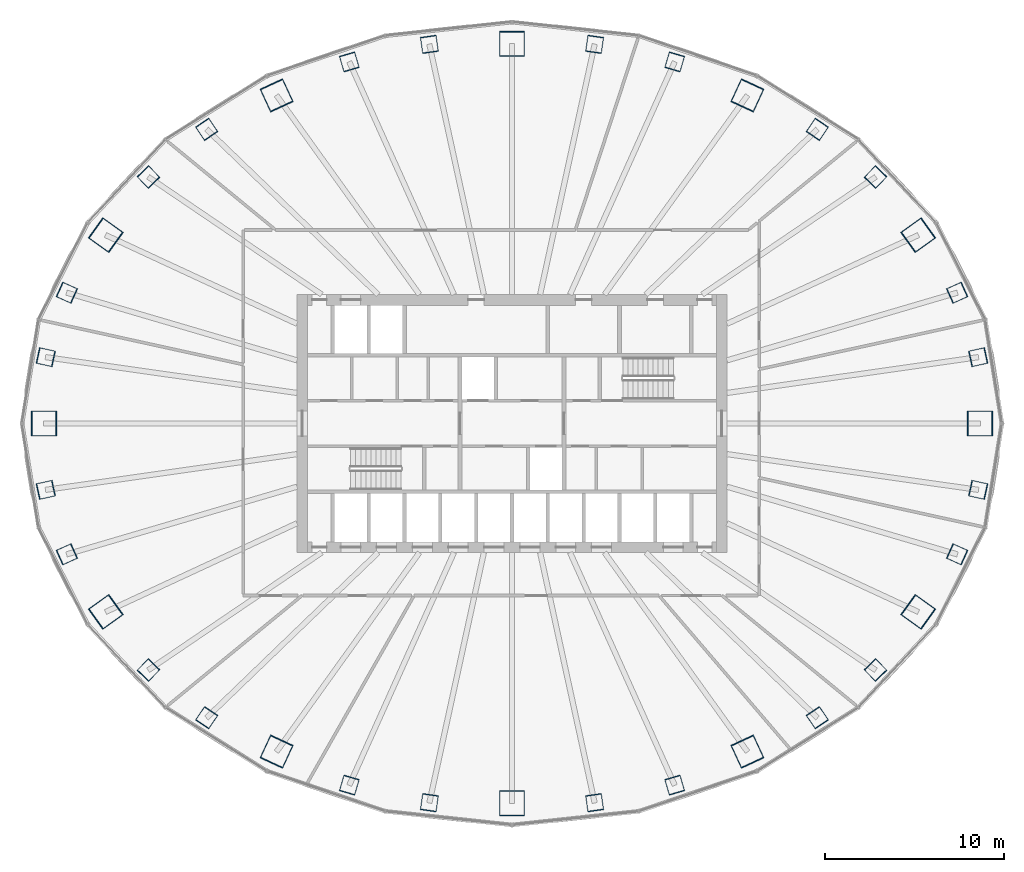
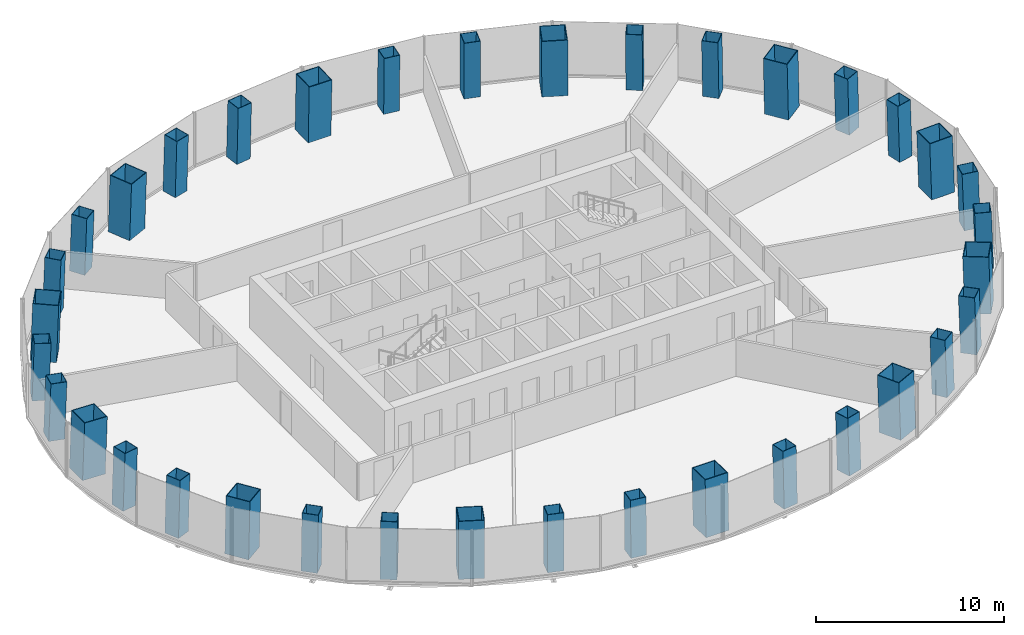
# One storey, part 1 of 11: 36 columns.
"""IFC4 building model written with IfcOpenShell, lengths in metres."""

from ifc_helpers import new_model, si_unit, direction, frame, origin, origin_2d, place, context, subcontext, project, spatial, hollow_rectangle, extrude, material, material_profile, profile_set, type_object, element, save


model = new_model("IFC4")

# Units and contexts
model_context = context("Model", 3, precision=1e-05, world=origin(), true_north=direction((0.0, 1.0)))
body_context = subcontext(model_context, "Body", "Model", "MODEL_VIEW")
ifc_project = project(units=[si_unit("LENGTHUNIT", "METRE"), si_unit("AREAUNIT", "SQUARE_METRE"), si_unit("VOLUMEUNIT", "CUBIC_METRE"), si_unit("PLANEANGLEUNIT", "RADIAN"), si_unit("MASSUNIT", "GRAM", prefix="KILO")], contexts=[model_context])

# Site, building, storey
site_placement = place(None, origin())
site = spatial("IfcSite", under=ifc_project, at=site_placement, CompositionType="ELEMENT")
building_placement = place(site_placement, origin())
building = spatial("IfcBuilding", under=site, at=building_placement, Name="Siaravel Broadcast Tower", CompositionType="ELEMENT")
storey_placement = place(building_placement, frame((0.0, 0.0, 66.699951171875)))
storey = spatial("IfcBuildingStorey", under=building, at=storey_placement, Name="L15", CompositionType="ELEMENT", Elevation=66.699951171875)

# Columns
ifc_material = material(Name="Concrete C70/85", Category="concrete")
ifc_material_profile_1 = material_profile(ifc_material, hollow_rectangle(XDim=1.39990234375, YDim=1.39990234375, WallThickness=0.0400390625, at=origin_2d()))
ifc_profile_set_1 = profile_set([ifc_material_profile_1], Name="Concrete C70/85")
column_type_1 = type_object("IfcColumnType", Name="COL-CFT BOX 1400x1400x40", PredefinedType="COLUMN", material=ifc_profile_set_1)
column_1_placement = place(storey_placement, frame((26.1337890625, 0.0, 0.0), z_axis=(-0.034621265, 0.0, 0.999400504), x_axis=(0.0, -1.0, 0.0)))
element("IfcColumn", 1, at=column_1_placement, inside=storey, type_object=column_type_1, Name="Megacolumn MC01", PredefinedType="COLUMN", context=body_context, shape_type="SweptSolid", body=[
    extrude(hollow_rectangle(XDim=1.39990234375, YDim=1.39990234375, WallThickness=0.0400390625, at=origin_2d()), origin(), (0.0, 0.0, 1.0), 3.7021484375),
])
column_2_placement = place(storey_placement, frame((22.68603515625, 10.52001953125, 0.0), z_axis=(-0.029940667, -0.01417895, 0.999451106), x_axis=(0.582612428, -0.812728535, 0.005923418)))
element("IfcColumn", 2, at=column_2_placement, inside=storey, type_object=column_type_1, Name="Megacolumn MC02", PredefinedType="COLUMN", context=body_context, shape_type="SweptSolid", body=[
    extrude(hollow_rectangle(XDim=1.39990234375, YDim=1.39990234375, WallThickness=0.0400390625, at=origin_2d()), origin(), (0.0, 0.0, 1.0), 3.701904296875),
])
column_3_placement = place(storey_placement, frame((13.146484375, 18.324462890625, 0.0), z_axis=(-0.017280237, -0.024535299, 0.999549605), x_axis=(0.907657106, -0.419677884, 0.005390036)))
element("IfcColumn", 3, at=column_3_placement, inside=storey, type_object=column_type_1, Name="Megacolumn MC03", PredefinedType="COLUMN", context=body_context, shape_type="SweptSolid", body=[
    extrude(hollow_rectangle(XDim=1.39990234375, YDim=1.39990234375, WallThickness=0.0400390625, at=origin_2d()), origin(), (0.0, 0.0, 1.0), 3.70166015625),
])
column_4_placement = place(storey_placement, frame((0.0, 21.20751953125, 0.0), z_axis=(0.0, -0.02836206, 0.999597716), x_axis=(1.0, 0.0, 0.0)))
element("IfcColumn", 4, at=column_4_placement, inside=storey, type_object=column_type_1, Name="Megacolumn MC04", PredefinedType="COLUMN", context=body_context, shape_type="SweptSolid", body=[
    extrude(hollow_rectangle(XDim=1.39990234375, YDim=1.39990234375, WallThickness=0.0400390625, at=origin_2d()), origin(), (0.0, 0.0, 1.0), 3.701416015625),
])
column_5_placement = place(storey_placement, frame((-13.146484375, 18.324462890625, 0.0), z_axis=(0.017280237, -0.024535299, 0.999549605), x_axis=(0.907657106, 0.419677884, -0.005390036)))
element("IfcColumn", 5, at=column_5_placement, inside=storey, type_object=column_type_1, Name="Megacolumn MC05", PredefinedType="COLUMN", context=body_context, shape_type="SweptSolid", body=[
    extrude(hollow_rectangle(XDim=1.39990234375, YDim=1.39990234375, WallThickness=0.0400390625, at=origin_2d()), origin(), (0.0, 0.0, 1.0), 3.70166015625),
])
column_6_placement = place(storey_placement, frame((-22.68603515625, 10.52001953125, 0.0), z_axis=(0.029940667, -0.01417895, 0.999451106), x_axis=(0.582612428, 0.812728535, -0.005923418)))
element("IfcColumn", 6, at=column_6_placement, inside=storey, type_object=column_type_1, Name="Megacolumn MC06", PredefinedType="COLUMN", context=body_context, shape_type="SweptSolid", body=[
    extrude(hollow_rectangle(XDim=1.39990234375, YDim=1.39990234375, WallThickness=0.0400390625, at=origin_2d()), origin(), (0.0, 0.0, 1.0), 3.701904296875),
])
column_7_placement = place(storey_placement, frame((-26.1337890625, 0.0, 0.0), z_axis=(0.034621265, 0.0, 0.999400504), x_axis=(0.0, 1.0, 0.0)))
element("IfcColumn", 7, at=column_7_placement, inside=storey, type_object=column_type_1, Name="Megacolumn MC07", PredefinedType="COLUMN", context=body_context, shape_type="SweptSolid", body=[
    extrude(hollow_rectangle(XDim=1.39990234375, YDim=1.39990234375, WallThickness=0.0400390625, at=origin_2d()), origin(), (0.0, 0.0, 1.0), 3.7021484375),
])
column_8_placement = place(storey_placement, frame((-22.68603515625, -10.52001953125, 0.0), z_axis=(0.029940667, 0.01417895, 0.999451106), x_axis=(-0.582612428, 0.812728535, 0.005923418)))
element("IfcColumn", 8, at=column_8_placement, inside=storey, type_object=column_type_1, Name="Megacolumn MC08", PredefinedType="COLUMN", context=body_context, shape_type="SweptSolid", body=[
    extrude(hollow_rectangle(XDim=1.39990234375, YDim=1.39990234375, WallThickness=0.0400390625, at=origin_2d()), origin(), (0.0, 0.0, 1.0), 3.701904296875),
])
column_9_placement = place(storey_placement, frame((-13.146484375, -18.324462890625, 0.0), z_axis=(0.017280237, 0.024535299, 0.999549605), x_axis=(-0.907657106, 0.419677884, 0.005390036)))
element("IfcColumn", 9, at=column_9_placement, inside=storey, type_object=column_type_1, Name="Megacolumn MC09", PredefinedType="COLUMN", context=body_context, shape_type="SweptSolid", body=[
    extrude(hollow_rectangle(XDim=1.39990234375, YDim=1.39990234375, WallThickness=0.0400390625, at=origin_2d()), origin(), (0.0, 0.0, 1.0), 3.70166015625),
])
column_10_placement = place(storey_placement, frame((0.0, -21.20751953125, 0.0), z_axis=(0.0, 0.02836206, 0.999597716), x_axis=(-1.0, 0.0, 0.0)))
element("IfcColumn", 10, at=column_10_placement, inside=storey, type_object=column_type_1, Name="Megacolumn MC10", PredefinedType="COLUMN", context=body_context, shape_type="SweptSolid", body=[
    extrude(hollow_rectangle(XDim=1.39990234375, YDim=1.39990234375, WallThickness=0.0400390625, at=origin_2d()), origin(), (0.0, 0.0, 1.0), 3.701416015625),
])
column_11_placement = place(storey_placement, frame((13.146484375, -18.324462890625, 0.0), z_axis=(-0.017280237, 0.024535299, 0.999549605), x_axis=(-0.907657106, -0.419677884, -0.005390036)))
element("IfcColumn", 11, at=column_11_placement, inside=storey, type_object=column_type_1, Name="Megacolumn MC11", PredefinedType="COLUMN", context=body_context, shape_type="SweptSolid", body=[
    extrude(hollow_rectangle(XDim=1.39990234375, YDim=1.39990234375, WallThickness=0.0400390625, at=origin_2d()), origin(), (0.0, 0.0, 1.0), 3.70166015625),
])
column_12_placement = place(storey_placement, frame((22.68603515625, -10.52001953125, 0.0), z_axis=(-0.029940667, 0.01417895, 0.999451106), x_axis=(-0.582612428, -0.812728535, -0.005923418)))
element("IfcColumn", 12, at=column_12_placement, inside=storey, type_object=column_type_1, Name="Megacolumn MC12", PredefinedType="COLUMN", context=body_context, shape_type="SweptSolid", body=[
    extrude(hollow_rectangle(XDim=1.39990234375, YDim=1.39990234375, WallThickness=0.0400390625, at=origin_2d()), origin(), (0.0, 0.0, 1.0), 3.701904296875),
])
ifc_material_profile_2 = material_profile(ifc_material, hollow_rectangle(XDim=0.89990234375, YDim=0.89990234375, WallThickness=0.02490234375, at=origin_2d()))
ifc_profile_set_2 = profile_set([ifc_material_profile_2], Name="Concrete C70/85")
column_type_2 = type_object("IfcColumnType", Name="COL-CFT BOX 900x900x25", PredefinedType="COLUMN", material=ifc_profile_set_2)
for number, where, z_axis, x_axis, name in (
    (13, (26.037841796875, 3.705322265625, 0.0), (-0.034028034, -0.004945935, 0.99940864), (0.213312399, -0.976981026, 0.002427953), "Perimeter column C01"),
    (14, (24.8603515625, 7.3046875, 0.0), (-0.032511791, -0.009694185, 0.999424337), (0.409631104, -0.912240273, 0.004476992), "Perimeter column C02"),
):
    element("IfcColumn", number, at=place(storey_placement, frame(where, z_axis=z_axis, x_axis=x_axis)), inside=storey, type_object=column_type_2, Name=name, PredefinedType="COLUMN", context=body_context, shape_type="SweptSolid", body=[
        extrude(hollow_rectangle(XDim=0.89990234375, YDim=0.89990234375, WallThickness=0.02490234375, at=origin_2d()), origin(), (0.0, 0.0, 1.0), 3.7021484375),
    ])
column_13_placement = place(storey_placement, frame((20.303466796875, 13.7666015625, 0.0), z_axis=(-0.026512179, -0.018202391, 0.999482755), x_axis=(0.719547914, -0.694412935, 0.006440138)))
element("IfcColumn", 15, at=column_13_placement, inside=storey, type_object=column_type_2, Name="Perimeter column C03", PredefinedType="COLUMN", context=body_context, shape_type="SweptSolid", body=[
    extrude(hollow_rectangle(XDim=0.89990234375, YDim=0.89990234375, WallThickness=0.02490234375, at=origin_2d()), origin(), (0.0, 0.0, 1.0), 3.701904296875),
])
column_14_placement = place(storey_placement, frame((17.052490234375, 16.42919921875, 0.0), z_axis=(-0.022226156, -0.021698532, 0.999517469), x_axis=(0.82776399, -0.561041886, 0.006227231)))
element("IfcColumn", 16, at=column_14_placement, inside=storey, type_object=column_type_2, Name="Perimeter column C04", PredefinedType="COLUMN", context=body_context, shape_type="SweptSolid", body=[
    extrude(hollow_rectangle(XDim=0.89990234375, YDim=0.89990234375, WallThickness=0.02490234375, at=origin_2d()), origin(), (0.0, 0.0, 1.0), 3.70166015625),
])
for number, where, z_axis, x_axis, name in (
    (17, (9.0859375, 20.195556640625, 0.0), (-0.011872213, -0.026646524, 0.999574416), (0.959324986, -0.282277525, 0.003869243), "Perimeter column C05"),
    (18, (4.61474609375, 21.1767578125, 0.0), (-0.006002173, -0.027900212, 0.999592693), (0.990101007, -0.140342023, 0.002028012), "Perimeter column C06"),
    (19, (-4.61474609375, 21.1767578125, 0.0), (0.006002173, -0.027900212, 0.999592693), (0.990101007, 0.140342023, -0.002028012), "Perimeter column C07"),
    (20, (-9.0859375, 20.195556640625, 0.0), (0.011872213, -0.026646524, 0.999574416), (0.959324986, 0.282277525, -0.003869243), "Perimeter column C08"),
):
    element("IfcColumn", number, at=place(storey_placement, frame(where, z_axis=z_axis, x_axis=x_axis)), inside=storey, type_object=column_type_2, Name=name, PredefinedType="COLUMN", context=body_context, shape_type="SweptSolid", body=[
        extrude(hollow_rectangle(XDim=0.89990234375, YDim=0.89990234375, WallThickness=0.02490234375, at=origin_2d()), origin(), (0.0, 0.0, 1.0), 3.701416015625),
    ])
column_15_placement = place(storey_placement, frame((-17.052490234375, 16.42919921875, 0.0), z_axis=(0.022226156, -0.021698532, 0.999517469), x_axis=(0.82776399, 0.561041886, -0.006227231)))
element("IfcColumn", 21, at=column_15_placement, inside=storey, type_object=column_type_2, Name="Perimeter column C09", PredefinedType="COLUMN", context=body_context, shape_type="SweptSolid", body=[
    extrude(hollow_rectangle(XDim=0.89990234375, YDim=0.89990234375, WallThickness=0.02490234375, at=origin_2d()), origin(), (0.0, 0.0, 1.0), 3.70166015625),
])
column_16_placement = place(storey_placement, frame((-20.303466796875, 13.7666015625, 0.0), z_axis=(0.026512179, -0.018202391, 0.999482755), x_axis=(0.719547914, 0.694412935, -0.006440138)))
element("IfcColumn", 22, at=column_16_placement, inside=storey, type_object=column_type_2, Name="Perimeter column C10", PredefinedType="COLUMN", context=body_context, shape_type="SweptSolid", body=[
    extrude(hollow_rectangle(XDim=0.89990234375, YDim=0.89990234375, WallThickness=0.02490234375, at=origin_2d()), origin(), (0.0, 0.0, 1.0), 3.701904296875),
])
for number, where, z_axis, x_axis, name in (
    (23, (-24.8603515625, 7.3046875, 0.0), (0.032511791, -0.009694185, 0.999424337), (0.409631104, 0.912240273, -0.004476992), "Perimeter column C11"),
    (24, (-26.037841796875, 3.705322265625, 0.0), (0.034028034, -0.004945935, 0.99940864), (0.213312399, 0.976981026, -0.002427953), "Perimeter column C12"),
    (25, (-26.037841796875, -3.705322265625, 0.0), (0.034028034, 0.004945935, 0.99940864), (-0.213312399, 0.976981026, 0.002427953), "Perimeter column C13"),
    (26, (-24.8603515625, -7.3046875, 0.0), (0.032511791, 0.009694185, 0.999424337), (-0.409631104, 0.912240273, 0.004476992), "Perimeter column C14"),
):
    element("IfcColumn", number, at=place(storey_placement, frame(where, z_axis=z_axis, x_axis=x_axis)), inside=storey, type_object=column_type_2, Name=name, PredefinedType="COLUMN", context=body_context, shape_type="SweptSolid", body=[
        extrude(hollow_rectangle(XDim=0.89990234375, YDim=0.89990234375, WallThickness=0.02490234375, at=origin_2d()), origin(), (0.0, 0.0, 1.0), 3.7021484375),
    ])
column_17_placement = place(storey_placement, frame((-20.303466796875, -13.7666015625, 0.0), z_axis=(0.026512179, 0.018202391, 0.999482755), x_axis=(-0.719547914, 0.694412935, 0.006440138)))
element("IfcColumn", 27, at=column_17_placement, inside=storey, type_object=column_type_2, Name="Perimeter column C15", PredefinedType="COLUMN", context=body_context, shape_type="SweptSolid", body=[
    extrude(hollow_rectangle(XDim=0.89990234375, YDim=0.89990234375, WallThickness=0.02490234375, at=origin_2d()), origin(), (0.0, 0.0, 1.0), 3.701904296875),
])
column_18_placement = place(storey_placement, frame((-17.052490234375, -16.42919921875, 0.0), z_axis=(0.022226156, 0.021698532, 0.999517469), x_axis=(-0.82776399, 0.561041886, 0.006227231)))
element("IfcColumn", 28, at=column_18_placement, inside=storey, type_object=column_type_2, Name="Perimeter column C16", PredefinedType="COLUMN", context=body_context, shape_type="SweptSolid", body=[
    extrude(hollow_rectangle(XDim=0.89990234375, YDim=0.89990234375, WallThickness=0.02490234375, at=origin_2d()), origin(), (0.0, 0.0, 1.0), 3.70166015625),
])
for number, where, z_axis, x_axis, name in (
    (29, (-9.0859375, -20.195556640625, 0.0), (0.011872213, 0.026646524, 0.999574416), (-0.959324986, 0.282277525, 0.003869243), "Perimeter column C17"),
    (30, (-4.61474609375, -21.1767578125, 0.0), (0.006002173, 0.027900212, 0.999592693), (-0.990101007, 0.140342023, 0.002028012), "Perimeter column C18"),
    (31, (4.61474609375, -21.1767578125, 0.0), (-0.006002173, 0.027900212, 0.999592693), (-0.990101007, -0.140342023, -0.002028012), "Perimeter column C19"),
    (32, (9.0859375, -20.195556640625, 0.0), (-0.011872213, 0.026646524, 0.999574416), (-0.959324986, -0.282277525, -0.003869243), "Perimeter column C20"),
):
    element("IfcColumn", number, at=place(storey_placement, frame(where, z_axis=z_axis, x_axis=x_axis)), inside=storey, type_object=column_type_2, Name=name, PredefinedType="COLUMN", context=body_context, shape_type="SweptSolid", body=[
        extrude(hollow_rectangle(XDim=0.89990234375, YDim=0.89990234375, WallThickness=0.02490234375, at=origin_2d()), origin(), (0.0, 0.0, 1.0), 3.701416015625),
    ])
column_19_placement = place(storey_placement, frame((17.052490234375, -16.42919921875, 0.0), z_axis=(-0.022226156, 0.021698532, 0.999517469), x_axis=(-0.82776399, -0.561041886, -0.006227231)))
element("IfcColumn", 33, at=column_19_placement, inside=storey, type_object=column_type_2, Name="Perimeter column C21", PredefinedType="COLUMN", context=body_context, shape_type="SweptSolid", body=[
    extrude(hollow_rectangle(XDim=0.89990234375, YDim=0.89990234375, WallThickness=0.02490234375, at=origin_2d()), origin(), (0.0, 0.0, 1.0), 3.70166015625),
])
column_20_placement = place(storey_placement, frame((20.303466796875, -13.7666015625, 0.0), z_axis=(-0.026512179, 0.018202391, 0.999482755), x_axis=(-0.719547914, -0.694412935, -0.006440138)))
element("IfcColumn", 34, at=column_20_placement, inside=storey, type_object=column_type_2, Name="Perimeter column C22", PredefinedType="COLUMN", context=body_context, shape_type="SweptSolid", body=[
    extrude(hollow_rectangle(XDim=0.89990234375, YDim=0.89990234375, WallThickness=0.02490234375, at=origin_2d()), origin(), (0.0, 0.0, 1.0), 3.701904296875),
])
for number, where, z_axis, x_axis, name in (
    (35, (24.8603515625, -7.3046875, 0.0), (-0.032511791, 0.009694185, 0.999424337), (-0.409631104, -0.912240273, -0.004476992), "Perimeter column C23"),
    (36, (26.037841796875, -3.705322265625, 0.0), (-0.034028034, 0.004945935, 0.99940864), (-0.213312399, -0.976981026, -0.002427953), "Perimeter column C24"),
):
    element("IfcColumn", number, at=place(storey_placement, frame(where, z_axis=z_axis, x_axis=x_axis)), inside=storey, type_object=column_type_2, Name=name, PredefinedType="COLUMN", context=body_context, shape_type="SweptSolid", body=[
        extrude(hollow_rectangle(XDim=0.89990234375, YDim=0.89990234375, WallThickness=0.02490234375, at=origin_2d()), origin(), (0.0, 0.0, 1.0), 3.7021484375),
    ])

save(model, "model.ifc")
